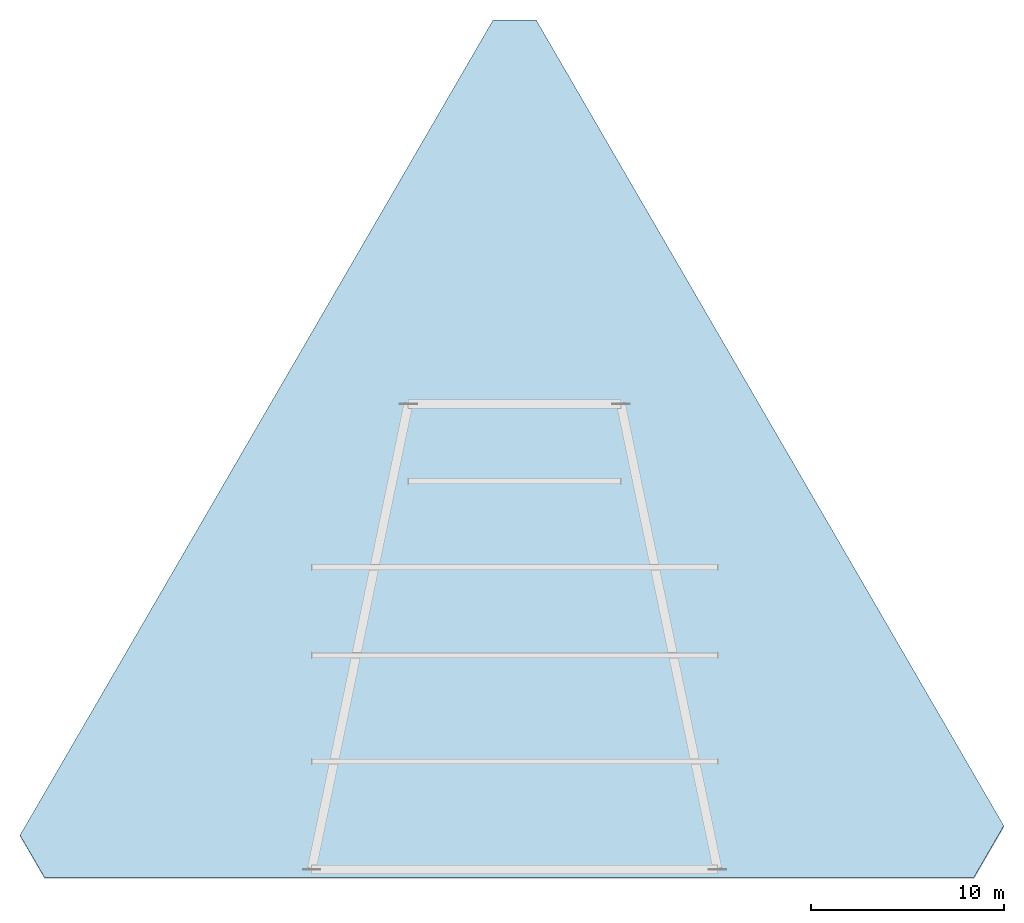
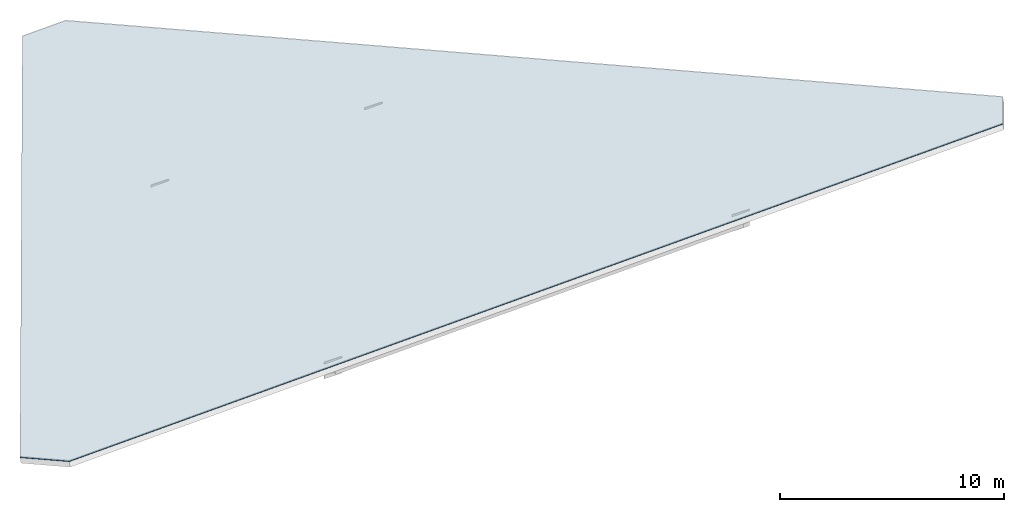
# One storey, part 3 of 4: 1 roof.
"""IFC4 building model written with IfcOpenShell, lengths in metres."""

from ifc_helpers import new_model, si_unit, direction, frame, origin, place, context, subcontext, project, spatial, polyline, outline, extrude, material, layer, layer_set, type_object, element, save


model = new_model("IFC4")

# Units and contexts
model_context = context("Model", 3, precision=1e-05, world=origin(), true_north=direction((0.0, 1.0)))
body_context = subcontext(model_context, "Body", "Model", "MODEL_VIEW")
ifc_project = project(units=[si_unit("LENGTHUNIT", "METRE"), si_unit("AREAUNIT", "SQUARE_METRE"), si_unit("VOLUMEUNIT", "CUBIC_METRE"), si_unit("PLANEANGLEUNIT", "RADIAN"), si_unit("MASSUNIT", "GRAM", prefix="KILO")], contexts=[model_context])

# Site, building, storey
site_placement = place(None, origin())
site = spatial("IfcSite", under=ifc_project, at=site_placement, CompositionType="ELEMENT")
building_placement = place(site_placement, origin())
building = spatial("IfcBuilding", under=site, at=building_placement, Name="Varnakhor Terracotta Tower", CompositionType="ELEMENT")
storey_placement = place(building_placement, frame((0.0, 0.0, 333.10009765625)))
storey = spatial("IfcBuildingStorey", under=building, at=storey_placement, Name="RF", CompositionType="ELEMENT", Elevation=333.10009765625)

# Roof
ifc_material = material(Name="Extruded Architectural Terracotta & Insulated Roof Assembly", Category="masonry")
ifc_layer = layer(ifc_material, 0.264892578125, Name="Extruded Architectural Terracotta & Insulated Roof Assembly")
ifc_layer_set = layer_set([ifc_layer], Name="Extruded Architectural Terracotta & Insulated Roof Assembly")
roof_type = type_object("IfcRoofType", Name="CROWN-SLANTED-ROOF-ASSY", PredefinedType="SHED_ROOF", material=ifc_layer_set)
roof_placement = place(storey_placement, frame((-24.32421875, 0.0, 9.216552734375), z_axis=(-0.030764138771, 0.273954783501, 0.961250406691), x_axis=(0.999488272068, 1.792538e-06, 0.031987403712)))
element("IfcRoof", 1, at=roof_placement, inside=storey, type_object=roof_type, Name="Crown Insulated Terracotta Roof Assembly", PredefinedType="SHED_ROOF", context=body_context, shape_type="SweptSolid", body=[
    extrude(outline(polyline([(0.0, 0.0), (48.108837467458685, 5.551115123125783e-17), (49.63653787087196, 2.7796553481753143), (25.047581825611168, 46.134087959173726), (22.81694237009155, 46.13414137159623), (-1.2896312785535604, 2.2742885511223108), (0.0, 0.0)])), origin(), (0.0, 0.0, -1.0), 0.034912109375),
])

save(model, "model.ifc")
